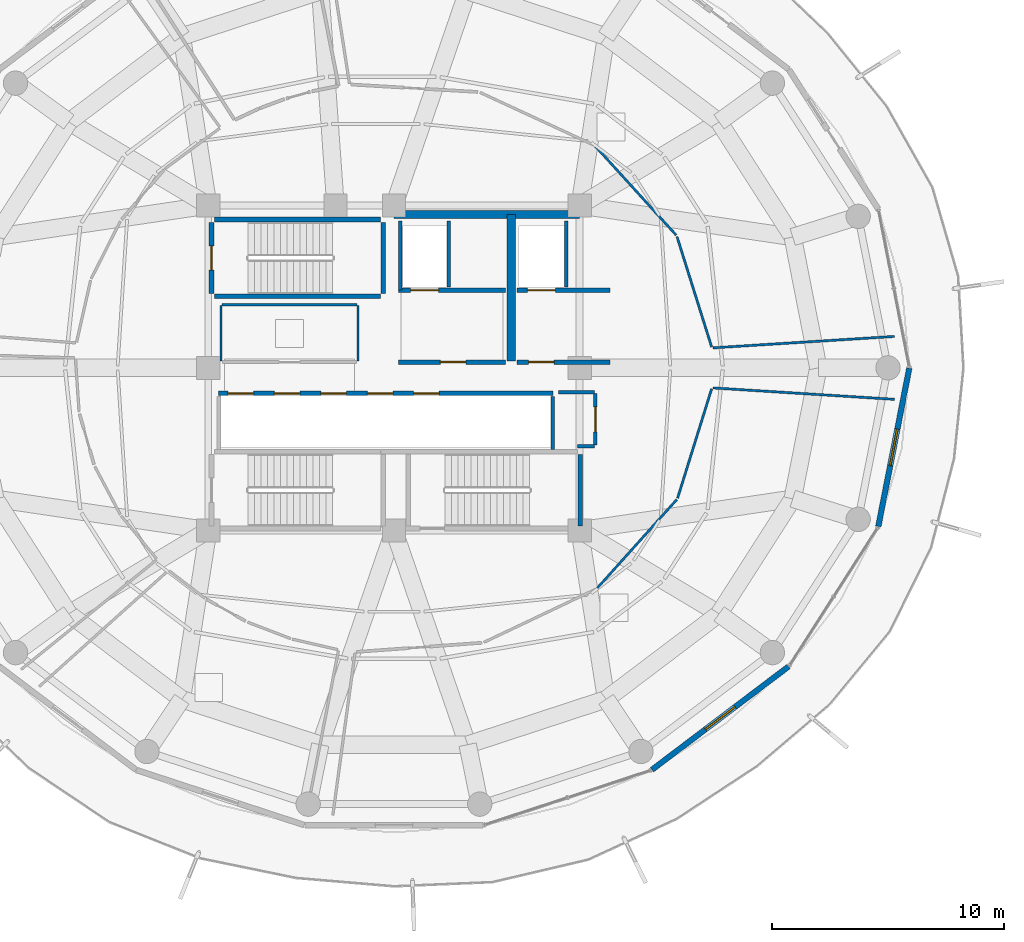
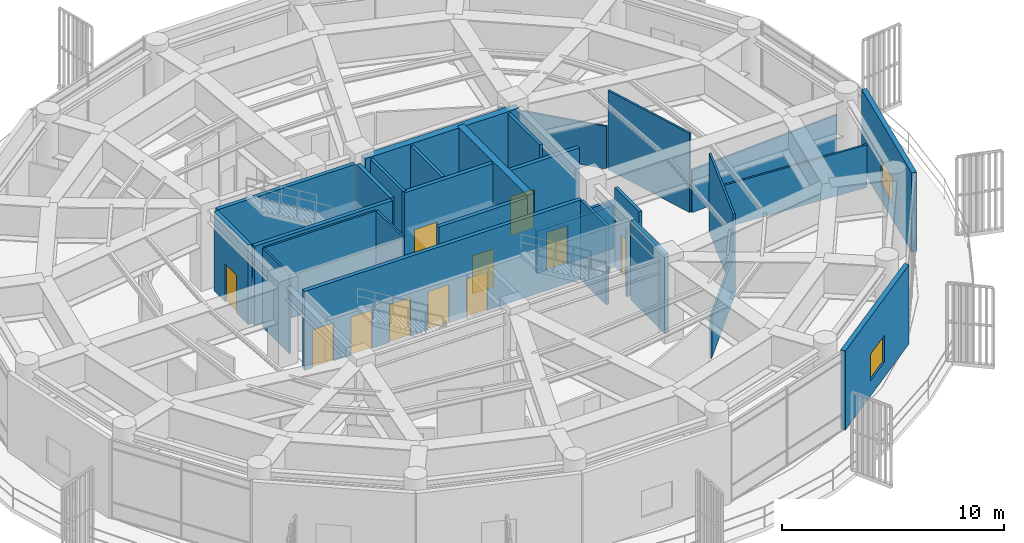
# One storey, part 23 of 29: 30 walls, 11 doors, 2 windows, 13 openings.
"""IFC4 building model written with IfcOpenShell, lengths in metres."""

from ifc_helpers import new_model, si_unit, direction, frame, frame_2d, origin, place, context, subcontext, project, spatial, rectangle, extrude, material, layer, layer_set, type_object, element, fill, save


model = new_model("IFC4")

# Units and contexts
model_context = context("Model", 3, precision=1e-05, world=origin(), true_north=direction((0.0, 1.0)))
body_context = subcontext(model_context, "Body", "Model", "MODEL_VIEW")
ifc_project = project(units=[si_unit("LENGTHUNIT", "METRE"), si_unit("AREAUNIT", "SQUARE_METRE"), si_unit("VOLUMEUNIT", "CUBIC_METRE"), si_unit("PLANEANGLEUNIT", "RADIAN"), si_unit("MASSUNIT", "GRAM", prefix="KILO")], contexts=[model_context])

# Site, building, storey
site_placement = place(None, origin())
site = spatial("IfcSite", under=ifc_project, at=site_placement, CompositionType="ELEMENT")
building_placement = place(site_placement, origin())
building = spatial("IfcBuilding", under=site, at=building_placement, Name="Kelanora Arch Commons", CompositionType="ELEMENT")
storey_placement = place(building_placement, frame((0.0, 0.0, 238.199951171875)))
storey = spatial("IfcBuildingStorey", under=building, at=storey_placement, Name="L61", CompositionType="ELEMENT", Elevation=238.199951171875)

# Walls
ifc_material_1 = material(Name="Autoclaved aerated concrete blockwork with fire plaster", Category="masonry")
ifc_layer_1 = layer(ifc_material_1, 0.14990234375)
ifc_layer_set_1 = layer_set([ifc_layer_1], Name="Autoclaved aerated concrete blockwork with fire plaster")
wall_type_1 = type_object("IfcWallType", Name="W-COMP-150", PredefinedType="PARTITIONING", material=ifc_layer_set_1)
wall_1_placement = place(storey_placement, frame((74.280029296875, 61.35009765625, 0.0), z_axis=(0.0, 0.0, 1.0), x_axis=(0.0, 1.0, 0.0)))
element("IfcWall", 1, at=wall_1_placement, inside=storey, type_object=wall_type_1, Name="Firefighting Lift 1 West Shaft Wall L61", PredefinedType="PARTITIONING", context=body_context, shape_type="SweptSolid", body=[
    extrude(rectangle(XDim=2.969970703125, YDim=0.14990234375, at=frame_2d((1.48486328125, 0.0))), origin(), (0.0, 0.0, 1.0), 4.35009765625),
])
for number, where, z_axis, x_axis, name in (
    (2, (76.360107421875, 61.47998046875, 0.0), (0.0, 0.0, 1.0), (0.0, 1.0, 0.0), "Firefighting Lift 1 East Shaft Wall L61"),
    (3, (81.419921875, 61.47998046875, 0.0), (0.0, 0.0, 1.0), (0.0, 1.0, 0.0), "Firefighting Lift 2 East Shaft Wall L61"),
):
    element("IfcWall", number, at=place(storey_placement, frame(where, z_axis=z_axis, x_axis=x_axis)), inside=storey, type_object=wall_type_1, Name=name, PredefinedType="PARTITIONING", context=body_context, shape_type="SweptSolid", body=[
        extrude(rectangle(XDim=2.840087890625, YDim=0.14990234375, at=frame_2d((1.419921875, 0.0))), origin(), (0.0, 0.0, 1.0), 4.35009765625),
    ])
wall_2_placement = place(storey_placement, frame((80.840087890625, 54.47998046875, 0.0), z_axis=(0.0, 0.0, 1.0), x_axis=(0.0, 1.0, 0.0)))
element("IfcWall", 4, at=wall_2_placement, inside=storey, type_object=wall_type_1, Name="South Lift Bank East Wall L61", PredefinedType="PARTITIONING", context=body_context, shape_type="SweptSolid", body=[
    extrude(rectangle(XDim=2.2900390625, YDim=0.14990234375, at=frame_2d((1.14501953125, 0.0))), origin(), (0.0, 0.0, 1.0), 4.35009765625),
])

# Wall, opening, door
wall_3_placement = place(storey_placement, frame((82.679931640625, 54.679931640625, 0.0), z_axis=(0.0, 0.0, 1.0), x_axis=(0.0, 1.0, 0.0)))
wall_3 = element("IfcWall", 5, at=wall_3_placement, inside=storey, type_object=wall_type_1, Name="Core Housekeeping Store L61 Entry Partition", PredefinedType="PARTITIONING", context=body_context, shape_type="SweptSolid", body=[
    extrude(rectangle(XDim=2.2099609375, YDim=0.14990234375, at=frame_2d((1.10498046875, 0.0))), origin(), (0.0, 0.0, 1.0), 4.35009765625),
])
opening_1_placement = place(wall_3_placement, frame((0.56494140625, 0.0, 0.0)))
opening_1 = element("IfcOpeningElement", 6, at=opening_1_placement, cuts=wall_3, Name="Opening D-PLT1", PredefinedType="OPENING", context=body_context, shape_type="SweptSolid", body=[
    extrude(rectangle(XDim=1.080078125, YDim=2.10009765625, at=frame_2d((0.5400390625, 1.050048828125))), frame((0.0, 0.0849609375, 0.0), z_axis=(0.0, -1.0, 0.0), x_axis=(1.0, 0.0, 0.0)), (0.0, 0.0, 1.0), 0.169921875),
])
ifc_material_2 = material(Name="Galvanised steel plant and riser fire door", Category="steel")
door_type_1 = type_object("IfcDoorType", Name="D-PLT-110", OperationType="NOTDEFINED", PredefinedType="DOOR", material=ifc_material_2)
door_1_placement = place(opening_1_placement, origin())
door_1 = element("IfcDoor", 7, at=door_1_placement, inside=storey, type_object=door_type_1, Name="Core Housekeeping Store L61 Door", OperationType="SINGLE_SWING_LEFT", OverallHeight=2.10009765625, OverallWidth=1.080078125, PredefinedType="DOOR", context=body_context, shape_type="SweptSolid", body=[
    extrude(rectangle(XDim=1.080078125, YDim=2.10009765625, at=frame_2d((0.5400390625, 1.050048828125))), frame((0.0, 0.02490234375, 0.0), z_axis=(0.0, -1.0, 0.0), x_axis=(1.0, 0.0, 0.0)), (0.0, 0.0, 1.0), 0.050048828125),
])
fill(opening_1, door_1)

# Walls
wall_4_placement = place(storey_placement, frame((81.89990234375, 54.6201171875, 0.0), z_axis=(0.0, 0.0, 1.0), x_axis=(1.0, 0.0, 0.0)))
element("IfcWall", 8, at=wall_4_placement, inside=storey, type_object=wall_type_1, Name="Core Housekeeping Store L61 Enclosure Partition 1", PredefinedType="PARTITIONING", context=body_context, shape_type="SweptSolid", body=[
    extrude(rectangle(XDim=0.739990234375, YDim=0.14990234375, at=frame_2d((0.3701171875, 0.0))), origin(), (0.0, 0.0, 1.0), 3.64501953125),
])
wall_5_placement = place(storey_placement, frame((82.639892578125, 56.949951171875, 0.0), z_axis=(0.0, 0.0, 1.0), x_axis=(-1.0, 0.0, 0.0)))
element("IfcWall", 9, at=wall_5_placement, inside=storey, type_object=wall_type_1, Name="Core Housekeeping Store L61 Enclosure Partition 3", PredefinedType="PARTITIONING", context=body_context, shape_type="SweptSolid", body=[
    extrude(rectangle(XDim=1.5498046875, YDim=0.14990234375, at=frame_2d((0.77490234375, 0.0))), origin(), (0.0, 0.0, 1.0), 3.64501953125),
])
ifc_material_3 = material(Name="Concrete C50/60", Category="concrete")
ifc_layer_2 = layer(ifc_material_3, 0.35009765625)
ifc_layer_set_2 = layer_set([ifc_layer_2], Name="Concrete C50/60")
wall_type_2 = type_object("IfcWallType", Name="W-CORE-350", PredefinedType="SHEAR", material=ifc_layer_set_2)
wall_6_placement = place(storey_placement, frame((74.0, 64.60009765625, 0.0), z_axis=(0.0, 0.0, 1.0), x_axis=(1.0, 0.0, 0.0)))
element("IfcWall", 10, at=wall_6_placement, inside=storey, type_object=wall_type_2, Name="Core Shear Spine L61-CN-E", PredefinedType="SHEAR", context=body_context, shape_type="SweptSolid", body=[
    extrude(rectangle(XDim=8.0, YDim=0.35009765625, at=frame_2d((4.0, 0.0))), origin(), (0.0, 0.0, 1.0), 4.360107421875),
])
wall_7_placement = place(storey_placement, frame((79.050048828125, 58.300048828125, 0.0), z_axis=(0.0, 0.0, 1.0), x_axis=(0.0, 1.0, 0.0)))
element("IfcWall", 11, at=wall_7_placement, inside=storey, type_object=wall_type_2, Name="Core Shear Spine L61-CE-N", PredefinedType="SHEAR", context=body_context, shape_type="SweptSolid", body=[
    extrude(rectangle(XDim=6.300048828125, YDim=0.35009765625, at=frame_2d((3.14990234375, 0.0))), origin(), (0.0, 0.0, 1.0), 4.360107421875),
])

# Wall, opening, window
ifc_material_4 = material(Name="Precast concrete C40/50 upper-zone terracotta rainscreen", Category="masonry")
ifc_layer_3 = layer(ifc_material_4, 0.239990234375)
ifc_layer_set_3 = layer_set([ifc_layer_3], Name="Precast concrete C40/50 upper-zone terracotta rainscreen")
wall_type_3 = type_object("IfcWallType", Name="W-EXT-TC2", PredefinedType="SOLIDWALL", material=ifc_layer_set_3)
wall_8_placement = place(storey_placement, frame((85.112060546875, 40.6884765625, 0.0), z_axis=(0.0, 0.0, 1.0), x_axis=(0.797701674595, 0.603052268338, 0.0)))
wall_8 = element("IfcWall", 12, at=wall_8_placement, inside=storey, type_object=wall_type_3, Name="Terracotta Exterior Wall L61-B15", PredefinedType="SOLIDWALL", context=body_context, shape_type="SweptSolid", body=[
    extrude(rectangle(XDim=7.373779296875, YDim=0.239990234375, at=frame_2d((3.68701171875, 0.0))), origin(), (0.0, 0.0, 1.0), 4.344970703125),
])
opening_2_placement = place(wall_8_placement, frame((2.886962890625, 0.0, 0.85009765625)))
opening_2 = element("IfcOpeningElement", 13, at=opening_2_placement, cuts=wall_8, Name="Opening WN-01", PredefinedType="OPENING", context=body_context, shape_type="SweptSolid", body=[
    extrude(rectangle(XDim=1.60009765625, YDim=1.449951171875, at=frame_2d((0.800048828125, 0.72509765625))), frame((0.0, 0.1298828125, 0.0), z_axis=(0.0, -1.0, 0.0), x_axis=(1.0, 0.0, 0.0)), (0.0, 0.0, 1.0), 0.260009765625),
])
ifc_material_5 = material(Name="Terracotta-anodised aluminium frame with operable low-E glazing", Category="masonry")
window_type = type_object("IfcWindowType", Name="WIN-CL-18", PartitioningType="DOUBLE_PANEL_VERTICAL", PredefinedType="WINDOW", material=ifc_material_5)
window_1_placement = place(opening_2_placement, origin())
window_1 = element("IfcWindow", 14, at=window_1_placement, inside=storey, type_object=window_type, Name="Co-Living Operable Window L61-B15", OverallHeight=1.449951171875, OverallWidth=1.60009765625, PartitioningType="SINGLE_PANEL", PredefinedType="WINDOW", context=body_context, shape_type="SweptSolid", body=[
    extrude(rectangle(XDim=1.60009765625, YDim=1.449951171875, at=frame_2d((0.800048828125, 0.72509765625))), frame((0.0, 0.030029296875, 0.0), z_axis=(0.0, -1.0, 0.0), x_axis=(1.0, 0.0, 0.0)), (0.0, 0.0, 1.0), 0.06005859375),
])
fill(opening_2, window_1)

wall_9_placement = place(storey_placement, frame((94.864013671875, 51.17431640625, 0.0), z_axis=(0.0, 0.0, 1.0), x_axis=(0.192069055673, 0.981381413036, 0.0)))
wall_9 = element("IfcWall", 15, at=wall_9_placement, inside=storey, type_object=wall_type_3, Name="Terracotta Exterior Wall L61-B17", PredefinedType="SOLIDWALL", context=body_context, shape_type="SweptSolid", body=[
    extrude(rectangle(XDim=6.940185546875, YDim=0.239990234375, at=frame_2d((3.47021484375, 0.0))), origin(), (0.0, 0.0, 1.0), 4.344970703125),
])
opening_3_placement = place(wall_9_placement, frame((2.669921875, 0.0, 0.85009765625)))
opening_3 = element("IfcOpeningElement", 16, at=opening_3_placement, cuts=wall_9, Name="Opening WN-01", PredefinedType="OPENING", context=body_context, shape_type="SweptSolid", body=[
    extrude(rectangle(XDim=1.60009765625, YDim=1.449951171875, at=frame_2d((0.800048828125, 0.72509765625))), frame((0.0, 0.1298828125, 0.0), z_axis=(0.0, -1.0, 0.0), x_axis=(1.0, 0.0, 0.0)), (0.0, 0.0, 1.0), 0.260009765625),
])
window_2_placement = place(opening_3_placement, origin())
window_2 = element("IfcWindow", 17, at=window_2_placement, inside=storey, type_object=window_type, Name="Co-Living Operable Window L61-B17", OverallHeight=1.449951171875, OverallWidth=1.60009765625, PartitioningType="SINGLE_PANEL", PredefinedType="WINDOW", context=body_context, shape_type="SweptSolid", body=[
    extrude(rectangle(XDim=1.60009765625, YDim=1.449951171875, at=frame_2d((0.800048828125, 0.72509765625))), frame((0.0, 0.030029296875, 0.0), z_axis=(0.0, -1.0, 0.0), x_axis=(1.0, 0.0, 0.0)), (0.0, 0.0, 1.0), 0.06005859375),
])
fill(opening_3, window_2)

# Wall, opening, door
ifc_material_6 = material(Name="Concrete C40/50", Category="concrete")
ifc_layer_4 = layer(ifc_material_6, 0.199951171875)
ifc_layer_set_4 = layer_set([ifc_layer_4], Name="Concrete C40/50")
wall_type_4 = type_object("IfcWallType", Name="W-FFL-200", PredefinedType="SOLIDWALL", material=ifc_layer_set_4)
wall_10_placement = place(storey_placement, frame((74.199951171875, 61.35009765625, 0.0), z_axis=(0.0, 0.0, 1.0), x_axis=(1.0, 0.0, 0.0)))
wall_10 = element("IfcWall", 18, at=wall_10_placement, inside=storey, type_object=wall_type_4, Name="Firefighting Lift 1 Shaft Front L61", PredefinedType="SOLIDWALL", context=body_context, shape_type="SweptSolid", body=[
    extrude(rectangle(XDim=4.60009765625, YDim=0.199951171875, at=frame_2d((2.300048828125, 0.0))), origin(), (0.0, 0.0, 1.0), 4.35009765625),
])
opening_4_placement = place(wall_10_placement, frame((0.52001953125, 0.0, 0.0)))
opening_4 = element("IfcOpeningElement", 19, at=opening_4_placement, cuts=wall_10, Name="Opening LD-FF", PredefinedType="OPENING", context=body_context, shape_type="SweptSolid", body=[
    extrude(rectangle(XDim=1.199951171875, YDim=2.14990234375, at=frame_2d((0.60009765625, 1.074951171875))), frame((0.0, 0.10986328125, 0.0), z_axis=(0.0, -1.0, 0.0), x_axis=(1.0, 0.0, 0.0)), (0.0, 0.0, 1.0), 0.219970703125),
])
ifc_material_7 = material(Name="Fire-rated firefighters lift sliding landing door")
door_type_2 = type_object("IfcDoorType", Name="D-LIFT-FF", OperationType="NOTDEFINED", PredefinedType="DOOR", material=ifc_material_7)
door_2_placement = place(opening_4_placement, origin())
door_2 = element("IfcDoor", 20, at=door_2_placement, inside=storey, type_object=door_type_2, Name="Firefighting Lift LF-FF1 Landing Door L61", OperationType="DOUBLE_DOOR_SLIDING", OverallHeight=2.14990234375, OverallWidth=1.199951171875, PredefinedType="DOOR", context=body_context, shape_type="SweptSolid", body=[
    extrude(rectangle(XDim=1.199951171875, YDim=2.14990234375, at=frame_2d((0.60009765625, 1.074951171875))), frame((0.0, 0.02490234375, 0.0), z_axis=(0.0, -1.0, 0.0), x_axis=(1.0, 0.0, 0.0)), (0.0, 0.0, 1.0), 0.050048828125),
])
fill(opening_4, door_2)

wall_11_placement = place(storey_placement, frame((79.300048828125, 61.35009765625, 0.0), z_axis=(0.0, 0.0, 1.0), x_axis=(1.0, 0.0, 0.0)))
wall_11 = element("IfcWall", 21, at=wall_11_placement, inside=storey, type_object=wall_type_4, Name="Firefighting Lift 2 Shaft Front L61", PredefinedType="SOLIDWALL", context=body_context, shape_type="SweptSolid", body=[
    extrude(rectangle(XDim=4.0, YDim=0.199951171875, at=frame_2d((2.0, 0.0))), origin(), (0.0, 0.0, 1.0), 3.64501953125),
])
opening_5_placement = place(wall_11_placement, frame((0.449951171875, 0.0, 0.0)))
opening_5 = element("IfcOpeningElement", 22, at=opening_5_placement, cuts=wall_11, Name="Opening LD-FF", PredefinedType="OPENING", context=body_context, shape_type="SweptSolid", body=[
    extrude(rectangle(XDim=1.199951171875, YDim=2.14990234375, at=frame_2d((0.60009765625, 1.074951171875))), frame((0.0, 0.10986328125, 0.0), z_axis=(0.0, -1.0, 0.0), x_axis=(1.0, 0.0, 0.0)), (0.0, 0.0, 1.0), 0.219970703125),
])
door_3_placement = place(opening_5_placement, origin())
door_3 = element("IfcDoor", 23, at=door_3_placement, inside=storey, type_object=door_type_2, Name="Firefighting Lift LF-FF2 Landing Door L61", OperationType="DOUBLE_DOOR_SLIDING", OverallHeight=2.14990234375, OverallWidth=1.199951171875, PredefinedType="DOOR", context=body_context, shape_type="SweptSolid", body=[
    extrude(rectangle(XDim=1.199951171875, YDim=2.14990234375, at=frame_2d((0.60009765625, 1.074951171875))), frame((0.0, 0.02490234375, 0.0), z_axis=(0.0, -1.0, 0.0), x_axis=(1.0, 0.0, 0.0)), (0.0, 0.0, 1.0), 0.050048828125),
])
fill(opening_5, door_3)

wall_12_placement = place(storey_placement, frame((74.199951171875, 58.25, 0.0), z_axis=(0.0, 0.0, 1.0), x_axis=(1.0, 0.0, 0.0)))
wall_12 = element("IfcWall", 24, at=wall_12_placement, inside=storey, type_object=wall_type_4, Name="Firefighting Lobby 1 Enclosure Wall L61", PredefinedType="SOLIDWALL", context=body_context, shape_type="SweptSolid", body=[
    extrude(rectangle(XDim=4.60009765625, YDim=0.199951171875, at=frame_2d((2.300048828125, 0.0))), origin(), (0.0, 0.0, 1.0), 4.35009765625),
])
opening_6_placement = place(wall_12_placement, frame((1.800048828125, 0.0, 0.0)))
opening_6 = element("IfcOpeningElement", 25, at=opening_6_placement, cuts=wall_12, Name="Opening D-FFL1", PredefinedType="OPENING", context=body_context, shape_type="SweptSolid", body=[
    extrude(rectangle(XDim=1.10009765625, YDim=2.10009765625, at=frame_2d((0.550048828125, 1.050048828125))), frame((0.0, 0.10986328125, 0.0), z_axis=(0.0, -1.0, 0.0), x_axis=(1.0, 0.0, 0.0)), (0.0, 0.0, 1.0), 0.219970703125),
])
ifc_material_8 = material(Name="Smoke-sealed firefighting lobby fire door")
door_type_3 = type_object("IfcDoorType", Name="D-FFL-110", OperationType="NOTDEFINED", PredefinedType="DOOR", material=ifc_material_8)
door_4_placement = place(opening_6_placement, frame((1.10009765625, 0.0, 0.0), z_axis=(0.0, 0.0, 1.0), x_axis=(-1.0, 0.0, 0.0)))
door_4 = element("IfcDoor", 26, at=door_4_placement, inside=storey, type_object=door_type_3, Name="Firefighting Lobby 1 Door L61", OperationType="SINGLE_SWING_LEFT", OverallHeight=2.10009765625, OverallWidth=1.10009765625, PredefinedType="DOOR", context=body_context, shape_type="SweptSolid", body=[
    extrude(rectangle(XDim=1.10009765625, YDim=2.10009765625, at=frame_2d((0.550048828125, 1.050048828125))), frame((0.0, 0.02490234375, 0.0), z_axis=(0.0, -1.0, 0.0), x_axis=(1.0, 0.0, 0.0)), (0.0, 0.0, 1.0), 0.050048828125),
])
fill(opening_6, door_4)

wall_13_placement = place(storey_placement, frame((79.300048828125, 58.25, 0.0), z_axis=(0.0, 0.0, 1.0), x_axis=(1.0, 0.0, 0.0)))
wall_13 = element("IfcWall", 27, at=wall_13_placement, inside=storey, type_object=wall_type_4, Name="Firefighting Lobby 2 Enclosure Wall L61", PredefinedType="SOLIDWALL", context=body_context, shape_type="SweptSolid", body=[
    extrude(rectangle(XDim=4.0, YDim=0.199951171875, at=frame_2d((2.0, 0.0))), origin(), (0.0, 0.0, 1.0), 2.344970703125),
])
opening_7_placement = place(wall_13_placement, frame((0.5, 0.0, 0.0)))
opening_7 = element("IfcOpeningElement", 28, at=opening_7_placement, cuts=wall_13, Name="Opening D-FFL1", PredefinedType="OPENING", context=body_context, shape_type="SweptSolid", body=[
    extrude(rectangle(XDim=1.10009765625, YDim=2.10009765625, at=frame_2d((0.550048828125, 1.050048828125))), frame((0.0, 0.10986328125, 0.0), z_axis=(0.0, -1.0, 0.0), x_axis=(1.0, 0.0, 0.0)), (0.0, 0.0, 1.0), 0.219970703125),
])
door_5_placement = place(opening_7_placement, frame((1.10009765625, 0.0, 0.0), z_axis=(0.0, 0.0, 1.0), x_axis=(-1.0, 0.0, 0.0)))
door_5 = element("IfcDoor", 29, at=door_5_placement, inside=storey, type_object=door_type_3, Name="Firefighting Lobby 2 Door L61", OperationType="SINGLE_SWING_RIGHT", OverallHeight=2.10009765625, OverallWidth=1.10009765625, PredefinedType="DOOR", context=body_context, shape_type="SweptSolid", body=[
    extrude(rectangle(XDim=1.10009765625, YDim=2.10009765625, at=frame_2d((0.550048828125, 1.050048828125))), frame((0.0, 0.02490234375, 0.0), z_axis=(0.0, -1.0, 0.0), x_axis=(1.0, 0.0, 0.0)), (0.0, 0.0, 1.0), 0.050048828125),
])
fill(opening_7, door_5)

# Wall, openings, doors
wall_14_placement = place(storey_placement, frame((66.449951171875, 56.89990234375, 0.0), z_axis=(0.0, 0.0, 1.0), x_axis=(1.0, 0.0, 0.0)))
wall_14 = element("IfcWall", 30, at=wall_14_placement, inside=storey, type_object=wall_type_4, Name="Mid/High/Express Lift Shaft Front L61", PredefinedType="SOLIDWALL", context=body_context, shape_type="SweptSolid", body=[
    extrude(rectangle(XDim=14.400146484375, YDim=0.199951171875, at=frame_2d((7.2001953125, 0.0))), origin(), (0.0, 0.0, 1.0), 4.35009765625),
])
opening_8_placement = place(wall_14_placement, frame((0.39990234375, 0.0, 0.0)))
opening_8 = element("IfcOpeningElement", 31, at=opening_8_placement, cuts=wall_14, Name="Opening LD-01", PredefinedType="OPENING", context=body_context, shape_type="SweptSolid", body=[
    extrude(rectangle(XDim=1.10009765625, YDim=2.10009765625, at=frame_2d((0.550048828125, 1.050048828125))), frame((0.0, 0.10986328125, 0.0), z_axis=(0.0, -1.0, 0.0), x_axis=(1.0, 0.0, 0.0)), (0.0, 0.0, 1.0), 0.219970703125),
])
opening_9_placement = place(wall_14_placement, frame((2.39990234375, 0.0, 0.0)))
opening_9 = element("IfcOpeningElement", 32, at=opening_9_placement, cuts=wall_14, Name="Opening LD-01", PredefinedType="OPENING", context=body_context, shape_type="SweptSolid", body=[
    extrude(rectangle(XDim=1.10009765625, YDim=2.10009765625, at=frame_2d((0.550048828125, 1.050048828125))), frame((0.0, 0.10986328125, 0.0), z_axis=(0.0, -1.0, 0.0), x_axis=(1.0, 0.0, 0.0)), (0.0, 0.0, 1.0), 0.219970703125),
])
opening_10_placement = place(wall_14_placement, frame((4.39990234375, 0.0, 0.0)))
opening_10 = element("IfcOpeningElement", 33, at=opening_10_placement, cuts=wall_14, Name="Opening LD-01", PredefinedType="OPENING", context=body_context, shape_type="SweptSolid", body=[
    extrude(rectangle(XDim=1.10009765625, YDim=2.10009765625, at=frame_2d((0.550048828125, 1.050048828125))), frame((0.0, 0.10986328125, 0.0), z_axis=(0.0, -1.0, 0.0), x_axis=(1.0, 0.0, 0.0)), (0.0, 0.0, 1.0), 0.219970703125),
])
opening_11_placement = place(wall_14_placement, frame((6.39990234375, 0.0, 0.0)))
opening_11 = element("IfcOpeningElement", 34, at=opening_11_placement, cuts=wall_14, Name="Opening LD-01", PredefinedType="OPENING", context=body_context, shape_type="SweptSolid", body=[
    extrude(rectangle(XDim=1.10009765625, YDim=2.10009765625, at=frame_2d((0.550048828125, 1.050048828125))), frame((0.0, 0.10986328125, 0.0), z_axis=(0.0, -1.0, 0.0), x_axis=(1.0, 0.0, 0.0)), (0.0, 0.0, 1.0), 0.219970703125),
])
opening_12_placement = place(wall_14_placement, frame((8.39990234375, 0.0, 0.0)))
opening_12 = element("IfcOpeningElement", 35, at=opening_12_placement, cuts=wall_14, Name="Opening LD-01", PredefinedType="OPENING", context=body_context, shape_type="SweptSolid", body=[
    extrude(rectangle(XDim=1.10009765625, YDim=2.10009765625, at=frame_2d((0.550048828125, 1.050048828125))), frame((0.0, 0.10986328125, 0.0), z_axis=(0.0, -1.0, 0.0), x_axis=(1.0, 0.0, 0.0)), (0.0, 0.0, 1.0), 0.219970703125),
])
ifc_material_9 = material(Name="Stainless steel passenger lift sliding landing door", Category="steel")
door_type_4 = type_object("IfcDoorType", Name="D-LIFT-110", OperationType="NOTDEFINED", PredefinedType="DOOR", material=ifc_material_9)
door_6_placement = place(opening_8_placement, origin())
door_6 = element("IfcDoor", 36, at=door_6_placement, inside=storey, type_object=door_type_4, Name="Passenger Lift LF-P4 Landing Door L61", OperationType="DOUBLE_DOOR_SLIDING", OverallHeight=2.10009765625, OverallWidth=1.10009765625, PredefinedType="DOOR", context=body_context, shape_type="SweptSolid", body=[
    extrude(rectangle(XDim=1.10009765625, YDim=2.10009765625, at=frame_2d((0.550048828125, 1.050048828125))), frame((0.0, 0.02490234375, 0.0), z_axis=(0.0, -1.0, 0.0), x_axis=(1.0, 0.0, 0.0)), (0.0, 0.0, 1.0), 0.050048828125),
])
fill(opening_8, door_6)
door_7_placement = place(opening_9_placement, origin())
door_7 = element("IfcDoor", 37, at=door_7_placement, inside=storey, type_object=door_type_4, Name="Passenger Lift LF-P5 Landing Door L61", OperationType="DOUBLE_DOOR_SLIDING", OverallHeight=2.10009765625, OverallWidth=1.10009765625, PredefinedType="DOOR", context=body_context, shape_type="SweptSolid", body=[
    extrude(rectangle(XDim=1.10009765625, YDim=2.10009765625, at=frame_2d((0.550048828125, 1.050048828125))), frame((0.0, 0.02490234375, 0.0), z_axis=(0.0, -1.0, 0.0), x_axis=(1.0, 0.0, 0.0)), (0.0, 0.0, 1.0), 0.050048828125),
])
fill(opening_9, door_7)
door_8_placement = place(opening_10_placement, origin())
door_8 = element("IfcDoor", 38, at=door_8_placement, inside=storey, type_object=door_type_4, Name="Passenger Lift LF-P6 Landing Door L61", OperationType="DOUBLE_DOOR_SLIDING", OverallHeight=2.10009765625, OverallWidth=1.10009765625, PredefinedType="DOOR", context=body_context, shape_type="SweptSolid", body=[
    extrude(rectangle(XDim=1.10009765625, YDim=2.10009765625, at=frame_2d((0.550048828125, 1.050048828125))), frame((0.0, 0.02490234375, 0.0), z_axis=(0.0, -1.0, 0.0), x_axis=(1.0, 0.0, 0.0)), (0.0, 0.0, 1.0), 0.050048828125),
])
fill(opening_10, door_8)
door_9_placement = place(opening_11_placement, origin())
door_9 = element("IfcDoor", 39, at=door_9_placement, inside=storey, type_object=door_type_4, Name="Passenger Lift LF-P7 Landing Door L61", OperationType="DOUBLE_DOOR_SLIDING", OverallHeight=2.10009765625, OverallWidth=1.10009765625, PredefinedType="DOOR", context=body_context, shape_type="SweptSolid", body=[
    extrude(rectangle(XDim=1.10009765625, YDim=2.10009765625, at=frame_2d((0.550048828125, 1.050048828125))), frame((0.0, 0.02490234375, 0.0), z_axis=(0.0, -1.0, 0.0), x_axis=(1.0, 0.0, 0.0)), (0.0, 0.0, 1.0), 0.050048828125),
])
fill(opening_11, door_9)
door_10_placement = place(opening_12_placement, origin())
door_10 = element("IfcDoor", 40, at=door_10_placement, inside=storey, type_object=door_type_4, Name="Passenger Lift LF-P8 Landing Door L61", OperationType="DOUBLE_DOOR_SLIDING", OverallHeight=2.10009765625, OverallWidth=1.10009765625, PredefinedType="DOOR", context=body_context, shape_type="SweptSolid", body=[
    extrude(rectangle(XDim=1.10009765625, YDim=2.10009765625, at=frame_2d((0.550048828125, 1.050048828125))), frame((0.0, 0.02490234375, 0.0), z_axis=(0.0, -1.0, 0.0), x_axis=(1.0, 0.0, 0.0)), (0.0, 0.0, 1.0), 0.050048828125),
])
fill(opening_12, door_10)

# Walls
ifc_material_10 = material(Name="Lightweight fire-rated acoustic stud partition")
ifc_layer_5 = layer(ifc_material_10, 0.10009765625)
ifc_layer_set_5 = layer_set([ifc_layer_5], Name="Lightweight fire-rated acoustic stud partition")
wall_type_5 = type_object("IfcWallType", Name="W-PART-100", PredefinedType="PARTITIONING", material=ifc_layer_set_5)
wall_15_placement = place(storey_placement, frame((72.449951171875, 58.2900390625, 0.0), z_axis=(0.0, 0.0, 1.0), x_axis=(0.0, 1.0, 0.0)))
element("IfcWall", 41, at=wall_15_placement, inside=storey, type_object=wall_type_5, Name="Reclaimed Core Study Pod Lounge L61 Enclosure Partition 2", PredefinedType="PARTITIONING", context=body_context, shape_type="SweptSolid", body=[
    extrude(rectangle(XDim=2.389892578125, YDim=0.10009765625, at=frame_2d((1.19482421875, 0.0))), origin(), (0.0, 0.0, 1.0), 4.35009765625),
])
wall_16_placement = place(storey_placement, frame((72.409912109375, 60.719970703125, 0.0), z_axis=(0.0, 0.0, 1.0), x_axis=(-1.0, 0.0, 0.0)))
element("IfcWall", 42, at=wall_16_placement, inside=storey, type_object=wall_type_5, Name="Reclaimed Core Study Pod Lounge L61 Enclosure Partition 3", PredefinedType="PARTITIONING", context=body_context, shape_type="SweptSolid", body=[
    extrude(rectangle(XDim=5.81982421875, YDim=0.10009765625, at=frame_2d((2.909912109375, 0.0))), origin(), (0.0, 0.0, 1.0), 4.35009765625),
])
wall_17_placement = place(storey_placement, frame((66.550048828125, 60.679931640625, 0.0), z_axis=(0.0, 0.0, 1.0), x_axis=(0.0, -1.0, 0.0)))
element("IfcWall", 43, at=wall_17_placement, inside=storey, type_object=wall_type_5, Name="Reclaimed Core Study Pod Lounge L61 Enclosure Partition 4", PredefinedType="PARTITIONING", context=body_context, shape_type="SweptSolid", body=[
    extrude(rectangle(XDim=2.389892578125, YDim=0.10009765625, at=frame_2d((1.19482421875, 0.0))), origin(), (0.0, 0.0, 1.0), 4.35009765625),
])
wall_18_placement = place(storey_placement, frame((87.68505859375, 58.898193359375, 0.0), z_axis=(0.0, 0.0, 1.0), x_axis=(-0.299682709599, 0.954038926652, 0.0)))
element("IfcWall", 44, at=wall_18_placement, inside=storey, type_object=wall_type_5, Name="East Horizon Quiet Study Lounge L61 Enclosure Partition 1", PredefinedType="PARTITIONING", context=body_context, shape_type="SweptSolid", body=[
    extrude(rectangle(XDim=4.98583984375, YDim=0.10009765625, at=frame_2d((2.492919921875, 0.0))), origin(), (0.0, 0.0, 1.0), 4.35009765625),
])
wall_19_placement = place(storey_placement, frame((86.152099609375, 63.72265625, 0.0), z_axis=(0.0, 0.0, 1.0), x_axis=(-0.672933272253, 0.739703191216, 0.0)))
element("IfcWall", 45, at=wall_19_placement, inside=storey, type_object=wall_type_5, Name="East Horizon Quiet Study Lounge L61 Enclosure Partition 2", PredefinedType="PARTITIONING", context=body_context, shape_type="SweptSolid", body=[
    extrude(rectangle(XDim=5.177490234375, YDim=0.10009765625, at=frame_2d((2.5888671875, 0.0))), origin(), (0.0, 0.0, 1.0), 2.344970703125),
])
wall_20_placement = place(storey_placement, frame((95.55712890625, 59.3544921875, 0.0), z_axis=(0.0, 0.0, 1.0), x_axis=(-0.998027280213, -0.062781748552, 0.0)))
element("IfcWall", 46, at=wall_20_placement, inside=storey, type_object=wall_type_5, Name="East Horizon Quiet Study Lounge L61 Enclosure Partition 10", PredefinedType="PARTITIONING", context=body_context, shape_type="SweptSolid", body=[
    extrude(rectangle(XDim=7.835693359375, YDim=0.10009765625, at=frame_2d((3.91796875, 0.0))), origin(), (0.0, 0.0, 1.0), 2.344970703125),
])
wall_21_placement = place(storey_placement, frame((82.759765625, 48.515869140625, 0.0), z_axis=(0.0, 0.0, 1.0), x_axis=(0.66809195956, 0.744078714634, 0.0)))
element("IfcWall", 47, at=wall_21_placement, inside=storey, type_object=wall_type_5, Name="Acoustic Music and Cinema Suite L61 Enclosure Partition 3", PredefinedType="PARTITIONING", context=body_context, shape_type="SweptSolid", body=[
    extrude(rectangle(XDim=5.1181640625, YDim=0.10009765625, at=frame_2d((2.55908203125, 0.0))), origin(), (0.0, 0.0, 1.0), 2.344970703125),
])
wall_22_placement = place(storey_placement, frame((86.218017578125, 52.39208984375, 0.0), z_axis=(0.0, 0.0, 1.0), x_axis=(0.297398450887, 0.954753455825, 0.0)))
element("IfcWall", 48, at=wall_22_placement, inside=storey, type_object=wall_type_5, Name="Acoustic Music and Cinema Suite L61 Enclosure Partition 4", PredefinedType="PARTITIONING", context=body_context, shape_type="SweptSolid", body=[
    extrude(rectangle(XDim=4.932861328125, YDim=0.10009765625, at=frame_2d((2.46630859375, 0.0))), origin(), (0.0, 0.0, 1.0), 4.35009765625),
])
wall_23_placement = place(storey_placement, frame((87.73681640625, 57.137451171875, 0.0), z_axis=(0.0, 0.0, 1.0), x_axis=(0.998027280213, -0.062781748552, 0.0)))
element("IfcWall", 49, at=wall_23_placement, inside=storey, type_object=wall_type_5, Name="Acoustic Music and Cinema Suite L61 Enclosure Partition 5", PredefinedType="PARTITIONING", context=body_context, shape_type="SweptSolid", body=[
    extrude(rectangle(XDim=7.835693359375, YDim=0.10009765625, at=frame_2d((3.91796875, 0.0))), origin(), (0.0, 0.0, 1.0), 2.344970703125),
])
ifc_layer_6 = layer(ifc_material_6, 0.199951171875)
ifc_layer_set_6 = layer_set([ifc_layer_6], Name="Concrete C40/50")
wall_type_6 = type_object("IfcWallType", Name="W-STAIR-200", PredefinedType="SHEAR", material=ifc_layer_set_6)
wall_24_placement = place(storey_placement, frame((66.260009765625, 61.080078125, 0.0), z_axis=(0.0, 0.0, 1.0), x_axis=(1.0, 0.0, 0.0)))
element("IfcWall", 50, at=wall_24_placement, inside=storey, type_object=wall_type_6, Name="Stair ST-T1 Shaft Wall S L61", PredefinedType="SHEAR", context=body_context, shape_type="SweptSolid", body=[
    extrude(rectangle(XDim=7.159912109375, YDim=0.199951171875, at=frame_2d((3.580078125, 0.0))), origin(), (0.0, 0.0, 1.0), 4.360107421875),
])
wall_25_placement = place(storey_placement, frame((73.5400390625, 61.199951171875, 0.0), z_axis=(0.0, 0.0, 1.0), x_axis=(0.0, 1.0, 0.0)))
element("IfcWall", 51, at=wall_25_placement, inside=storey, type_object=wall_type_6, Name="Stair ST-T1 Shaft Wall E L61", PredefinedType="SHEAR", context=body_context, shape_type="SweptSolid", body=[
    extrude(rectangle(XDim=3.070068359375, YDim=0.199951171875, at=frame_2d((1.53515625, 0.0))), origin(), (0.0, 0.0, 1.0), 4.360107421875),
])
wall_26_placement = place(storey_placement, frame((73.419921875, 64.389892578125, 0.0), z_axis=(0.0, 0.0, 1.0), x_axis=(-1.0, 0.0, 0.0)))
element("IfcWall", 52, at=wall_26_placement, inside=storey, type_object=wall_type_6, Name="Stair ST-T1 Shaft Wall N L61", PredefinedType="SHEAR", context=body_context, shape_type="SweptSolid", body=[
    extrude(rectangle(XDim=7.159912109375, YDim=0.199951171875, at=frame_2d((3.580078125, 0.0))), origin(), (0.0, 0.0, 1.0), 4.360107421875),
])

# Wall, opening, door
wall_27_placement = place(storey_placement, frame((66.139892578125, 64.27001953125, 0.0), z_axis=(0.0, 0.0, 1.0), x_axis=(0.0, -1.0, 0.0)))
wall_27 = element("IfcWall", 53, at=wall_27_placement, inside=storey, type_object=wall_type_6, Name="Stair ST-T1 Shaft Wall W L61", PredefinedType="SHEAR", context=body_context, shape_type="SweptSolid", body=[
    extrude(rectangle(XDim=3.070068359375, YDim=0.199951171875, at=frame_2d((1.53515625, 0.0))), origin(), (0.0, 0.0, 1.0), 4.360107421875),
])
opening_13_placement = place(wall_27_placement, frame((1.010009765625, 0.0, 0.0)))
opening_13 = element("IfcOpeningElement", 54, at=opening_13_placement, cuts=wall_27, Name="Opening D-ST1", PredefinedType="OPENING", context=body_context, shape_type="SweptSolid", body=[
    extrude(rectangle(XDim=1.050048828125, YDim=2.10009765625, at=frame_2d((0.52490234375, 1.050048828125))), frame((0.0, 0.10986328125, 0.0), z_axis=(0.0, -1.0, 0.0), x_axis=(1.0, 0.0, 0.0)), (0.0, 0.0, 1.0), 0.219970703125),
])
ifc_material_11 = material(Name="Steel fire-rated stairwell escape door", Category="steel")
door_type_5 = type_object("IfcDoorType", Name="D-STAIR-110", OperationType="NOTDEFINED", PredefinedType="DOOR", material=ifc_material_11)
door_11_placement = place(opening_13_placement, origin())
door_11 = element("IfcDoor", 55, at=door_11_placement, inside=storey, type_object=door_type_5, Name="Stair ST-T1 Escape Door L61", OperationType="SINGLE_SWING_LEFT", OverallHeight=2.10009765625, OverallWidth=1.050048828125, PredefinedType="DOOR", context=body_context, shape_type="SweptSolid", body=[
    extrude(rectangle(XDim=1.050048828125, YDim=2.10009765625, at=frame_2d((0.52490234375, 1.050048828125))), frame((0.0, 0.02490234375, 0.0), z_axis=(0.0, -1.0, 0.0), x_axis=(1.0, 0.0, 0.0)), (0.0, 0.0, 1.0), 0.050048828125),
])
fill(opening_13, door_11)

# Wall
wall_28_placement = place(storey_placement, frame((82.02001953125, 51.199951171875, 0.0), z_axis=(0.0, 0.0, 1.0), x_axis=(0.0, 1.0, 0.0)))
element("IfcWall", 56, at=wall_28_placement, inside=storey, type_object=wall_type_6, Name="Stair ST-T2 Shaft Wall E L61", PredefinedType="SHEAR", context=body_context, shape_type="SweptSolid", body=[
    extrude(rectangle(XDim=3.070068359375, YDim=0.199951171875, at=frame_2d((1.53515625, 0.0))), origin(), (0.0, 0.0, 1.0), 4.360107421875),
])

save(model, "model.ifc")
